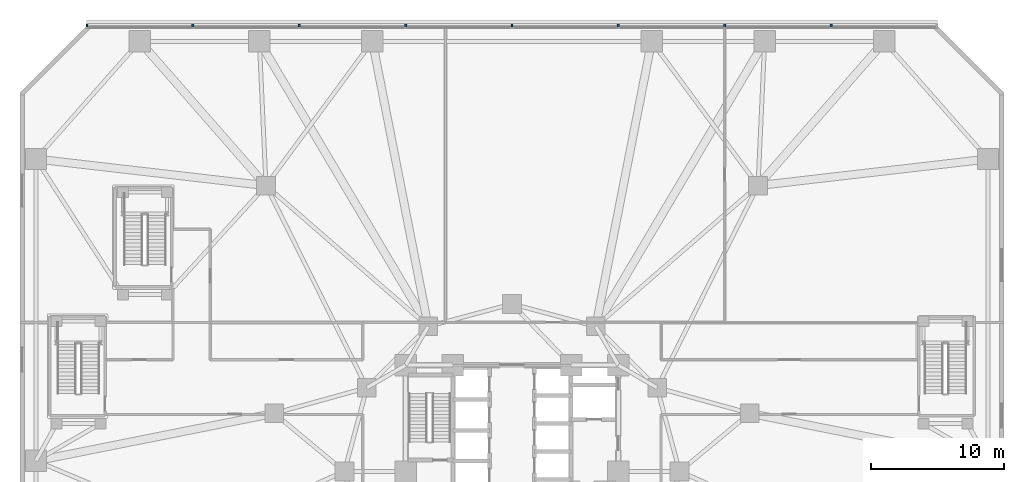
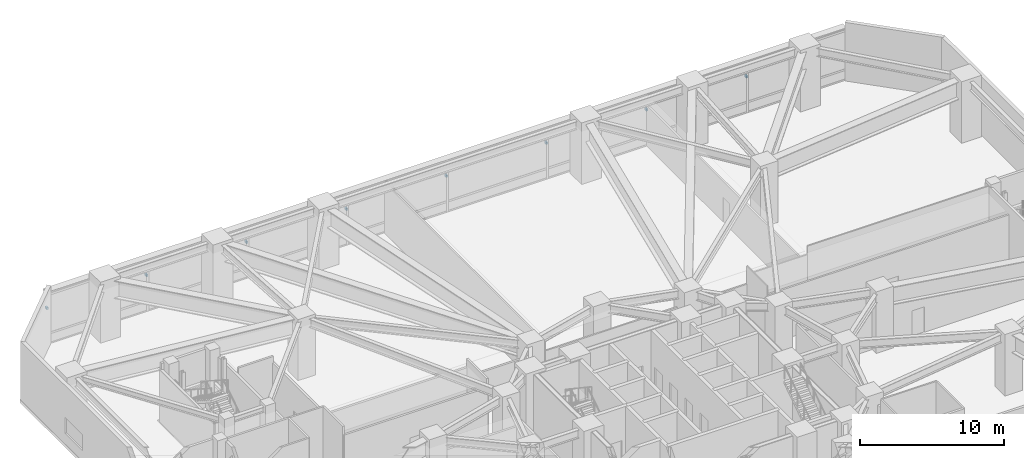
# One storey, part 20 of 27: 8 discrete accessories.
"""IFC4 building model written with IfcOpenShell, lengths in metres."""

from ifc_helpers import new_model, si_unit, direction, frame, origin, origin_2d, place, context, subcontext, project, spatial, rectangle, extrude, material, type_object, element, save


model = new_model("IFC4")

# Units and contexts
model_context = context("Model", 3, precision=1e-05, world=origin(), true_north=direction((0.0, 1.0)))
body_context = subcontext(model_context, "Body", "Model", "MODEL_VIEW")
ifc_project = project(units=[si_unit("LENGTHUNIT", "METRE"), si_unit("AREAUNIT", "SQUARE_METRE"), si_unit("VOLUMEUNIT", "CUBIC_METRE"), si_unit("PLANEANGLEUNIT", "RADIAN"), si_unit("MASSUNIT", "GRAM", prefix="KILO")], contexts=[model_context])

# Site, building, storey
site_placement = place(None, origin())
site = spatial("IfcSite", under=ifc_project, at=site_placement, CompositionType="ELEMENT")
building_placement = place(site_placement, origin())
building = spatial("IfcBuilding", under=site, at=building_placement, Name="Terralouvre Media Tower", CompositionType="ELEMENT")
storey_placement = place(building_placement, frame((0.0, 0.0, 5.199951171875)))
storey = spatial("IfcBuildingStorey", under=building, at=storey_placement, Name="L01", CompositionType="ELEMENT", Elevation=5.199951171875)

# Discrete accessories
ifc_material = material(Name="Anodised extruded aluminium 6063-T6", Category="aluminium")
discrete_accessory_type = type_object("IfcDiscreteAccessoryType", Name="Mullion Stand-Off Baguette Fixing Bracket BK-01", PredefinedType="BRACKET", material=ifc_material)
for number, where, z_axis, x_axis, name in (
    (1, (24.0, 33.52001953125, 2.87451171875), (0.0, 0.0, 1.0), (-1.0, 0.0, 0.0), "CW-L01-F4 Baguette Outrigger Bracket 1.02"),
    (2, (16.0, 33.52001953125, 2.87451171875), (0.0, 0.0, 1.0), (-1.0, 0.0, 0.0), "CW-L01-F4 Baguette Outrigger Bracket 1.03"),
    (3, (8.0, 33.52001953125, 2.87451171875), (0.0, 0.0, 1.0), (-1.0, 0.0, 0.0), "CW-L01-F4 Baguette Outrigger Bracket 1.04"),
    (4, (0.0, 33.52001953125, 2.87451171875), (0.0, 0.0, 1.0), (-1.0, 0.0, 0.0), "CW-L01-F4 Baguette Outrigger Bracket 1.05"),
    (5, (-8.0, 33.52001953125, 2.87451171875), (0.0, 0.0, 1.0), (-1.0, 0.0, 0.0), "CW-L01-F4 Baguette Outrigger Bracket 1.06"),
    (6, (-16.0, 33.52001953125, 2.87451171875), (0.0, 0.0, 1.0), (-1.0, 0.0, 0.0), "CW-L01-F4 Baguette Outrigger Bracket 1.07"),
    (7, (-24.0, 33.52001953125, 2.87451171875), (0.0, 0.0, 1.0), (-1.0, 0.0, 0.0), "CW-L01-F4 Baguette Outrigger Bracket 1.08"),
    (8, (-31.96240234375, 33.52001953125, 2.87451171875), (0.0, 0.0, 1.0), (-1.0, 0.0, 0.0), "CW-L01-F4 Baguette Outrigger Bracket 1.09"),
):
    element("IfcDiscreteAccessory", number, at=place(storey_placement, frame(where, z_axis=z_axis, x_axis=x_axis)), inside=storey, type_object=discrete_accessory_type, Name=name, PredefinedType="BRACKET", context=body_context, shape_type="SweptSolid", body=[
        extrude(rectangle(XDim=0.139892578125, YDim=0.239990234375, at=origin_2d()), origin(), (0.0, 0.0, 1.0), 0.179931640625),
    ])

save(model, "model.ifc")
